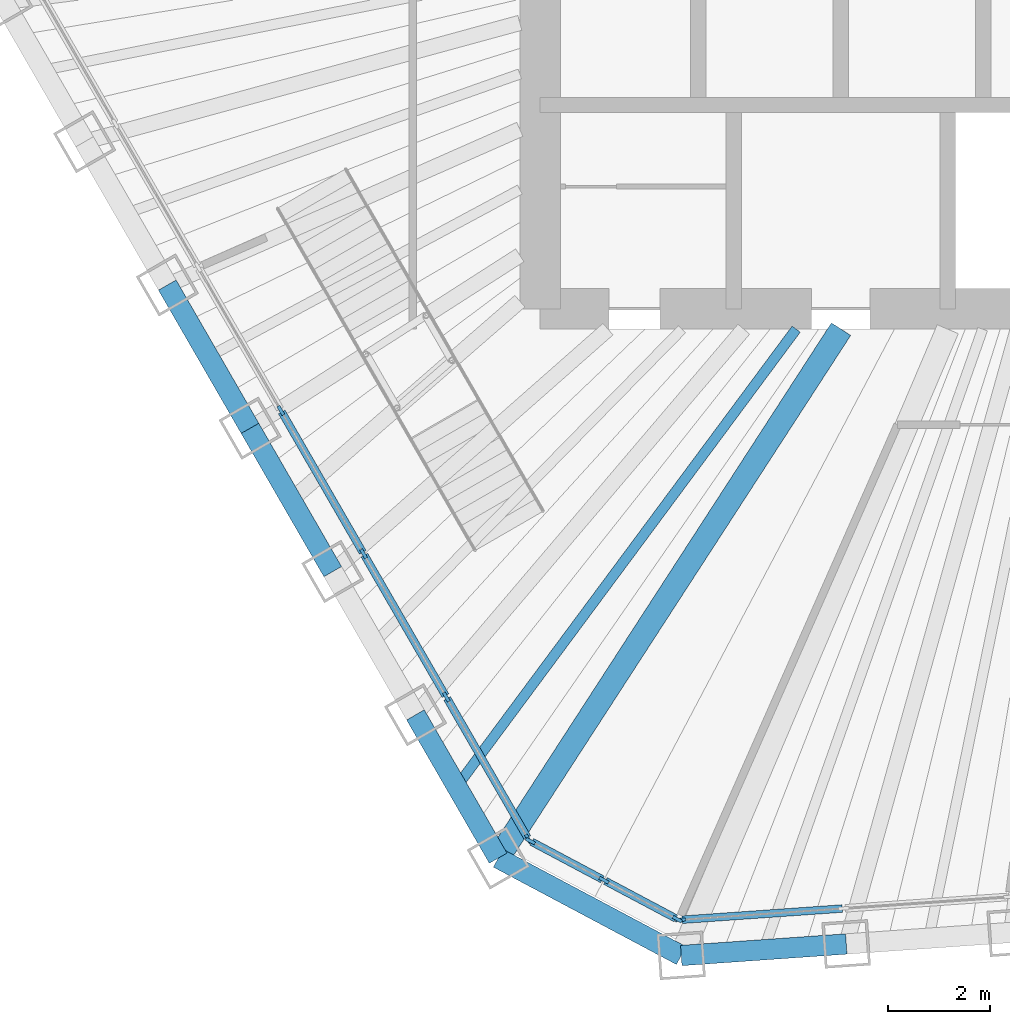
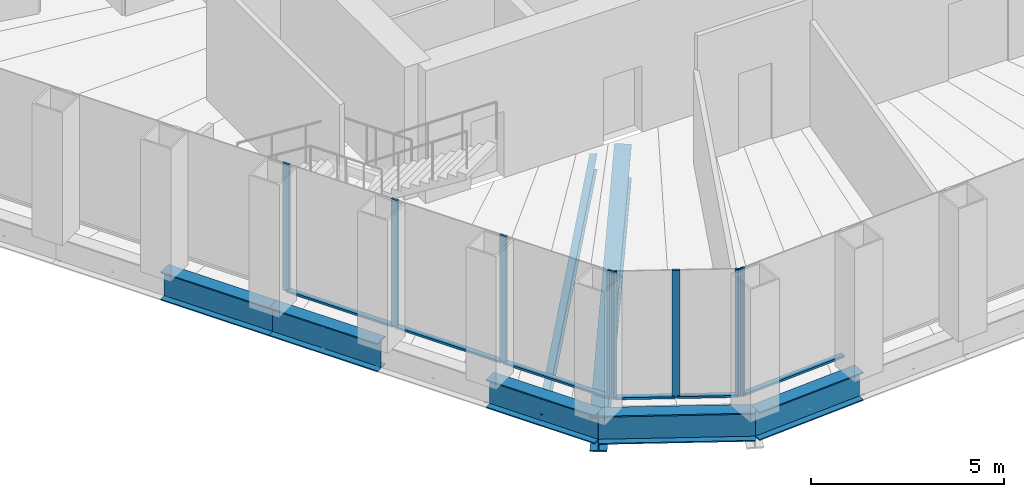
# One storey, part 2 of 17: 14 members, 7 beams, 3 elements without a shape of their own.
"""IFC4 building model written with IfcOpenShell, lengths in metres."""

from ifc_helpers import new_model, si_unit, direction, frame, origin, origin_2d, place, context, subcontext, project, spatial, rectangle, i_section, extrude, material, material_profile, profile_set, type_object, element, aggregate, save


model = new_model("IFC4")

# Units and contexts
model_context = context("Model", 3, precision=1e-05, world=origin(), true_north=direction((0.0, 1.0)))
body_context = subcontext(model_context, "Body", "Model", "MODEL_VIEW")
ifc_project = project(units=[si_unit("LENGTHUNIT", "METRE"), si_unit("AREAUNIT", "SQUARE_METRE"), si_unit("VOLUMEUNIT", "CUBIC_METRE"), si_unit("PLANEANGLEUNIT", "RADIAN"), si_unit("MASSUNIT", "GRAM", prefix="KILO")], contexts=[model_context])

# Site, building, storey
site_placement = place(None, origin())
site = spatial("IfcSite", under=ifc_project, at=site_placement, CompositionType="ELEMENT")
building_placement = place(site_placement, origin())
building = spatial("IfcBuilding", under=site, at=building_placement, Name="Qingtian Harvest Tower", CompositionType="ELEMENT")
storey_placement = place(building_placement, frame((0.0, 0.0, 329.199951171875)))
storey = spatial("IfcBuildingStorey", under=building, at=storey_placement, Name="L73", CompositionType="ELEMENT", Elevation=329.199951171875)

# Beams
ifc_material_1 = material(Name="Steel SM570MC", Category="steel")
ifc_material_profile_1 = material_profile(ifc_material_1, i_section(OverallWidth=0.449951171875, OverallDepth=1.10009765625, WebThickness=0.02197265625, FlangeThickness=0.044921875, at=origin_2d()), Name="H1100x450x22x45")
ifc_profile_set_1 = profile_set([ifc_material_profile_1], Name="Steel SM570MC")
beam_type_1 = type_object("IfcBeamType", Name="Corner floor beam FB8 H1100x450x22x45", PredefinedType="BEAM", material=ifc_profile_set_1)
beam_1_placement = place(storey_placement, frame((-12.825439453125, -19.78564453125, -0.719970703125), z_axis=(0.543934037964, 0.839127977334, 0.0), x_axis=(-0.839127977334, 0.543934037964, 0.0)))
element("IfcBeam", 1, at=beam_1_placement, inside=storey, type_object=beam_type_1, Name="Floor beam FB8 SW0", PredefinedType="BEAM", context=body_context, shape_type="SweptSolid", body=[
    extrude(i_section(OverallWidth=0.449951171875, OverallDepth=1.10009765625, WebThickness=0.02197265625, FlangeThickness=0.044921875, at=origin_2d()), origin(), (0.0, 0.0, 1.0), 12.376708984375),
])
ifc_material_2 = material(Name="Steel SN490B", Category="steel")
ifc_material_profile_2 = material_profile(ifc_material_2, i_section(OverallWidth=0.199951171875, OverallDepth=0.5, WebThickness=0.010009765625, FlangeThickness=0.01611328125, at=origin_2d()), Name="H500x200x10x16")
ifc_profile_set_2 = profile_set([ifc_material_profile_2], Name="Steel SN490B")
beam_type_2 = type_object("IfcBeamType", Name="Floor joist J3 H500x200x10x16", PredefinedType="JOIST", material=ifc_profile_set_2)
beam_2_placement = place(storey_placement, frame((-13.637451171875, -18.37939453125, -0.419921875), z_axis=(0.595869637911, 0.803081175608, 0.0), x_axis=(-0.803081175608, 0.595869637911, 0.0)))
element("IfcBeam", 2, at=beam_2_placement, inside=storey, type_object=beam_type_2, Name="Floor joist J3 SW0", PredefinedType="JOIST", context=body_context, shape_type="SweptSolid", body=[
    extrude(i_section(OverallWidth=0.199951171875, OverallDepth=0.5, WebThickness=0.010009765625, FlangeThickness=0.01611328125, at=origin_2d()), origin(), (0.0, 0.0, 1.0), 11.181396484375),
])

# Curtain wall, member
ifc_material_3 = material(Name="Bronze-anodised aluminium curtain wall", Category="aluminium")
curtain_wall_type = type_object("IfcCurtainWallType", Name="Curtain wall CW6 executive floors", PredefinedType="USERDEFINED", material=ifc_material_3)
curtain_wall_1_placement = place(storey_placement, origin())
curtain_wall_1 = element("IfcCurtainWall", 3, at=curtain_wall_1_placement, inside=storey, type_object=curtain_wall_type, Name="Curtain wall CW6 L73 S0-5", ObjectType="RECESSED CURTAIN WALL", PredefinedType="USERDEFINED")
ifc_material_4 = material(Name="Bronze-anodised aluminium mullion", Category="aluminium")
ifc_material_profile_3 = material_profile(ifc_material_4, rectangle(XDim=0.06494140625, YDim=0.199951171875, at=origin_2d()), Name="AL 65x200")
ifc_profile_set_3 = profile_set([ifc_material_profile_3], Name="Bronze-anodised aluminium mullion")
member_type_1 = type_object("IfcMemberType", Name="Mullion CWM 65x200", PredefinedType="MULLION", material=ifc_profile_set_3)
member_1_placement = place(storey_placement, frame((-9.24755859375, -20.996337890625, 0.0), z_axis=(0.0, 0.0, 1.0), x_axis=(0.069756473744, -0.99756405026, 0.0)))
member_1 = element("IfcMember", 4, at=member_1_placement, type_object=member_type_1, Name="CW6 mullion 7", PredefinedType="MULLION", context=body_context, shape_type="SweptSolid", body=[
    extrude(rectangle(XDim=0.06494140625, YDim=0.199951171875, at=origin_2d()), origin(), (0.0, 0.0, 1.0), 4.030029296875),
])

# Curtain wall, members
curtain_wall_2_placement = place(storey_placement, origin())
curtain_wall_2 = element("IfcCurtainWall", 5, at=curtain_wall_2_placement, inside=storey, type_object=curtain_wall_type, Name="Curtain wall CW6 L73 SC", ObjectType="RECESSED CURTAIN WALL", PredefinedType="USERDEFINED")
member_2_placement = place(storey_placement, frame((-9.308837890625, -20.983154296875, 0.0), z_axis=(0.0, 0.0, 1.0), x_axis=(-0.469471562786, -0.882947592859, 0.0)))
member_2 = element("IfcMember", 6, at=member_2_placement, type_object=member_type_1, Name="CW6 mullion 1", PredefinedType="MULLION", context=body_context, shape_type="SweptSolid", body=[
    extrude(rectangle(XDim=0.06494140625, YDim=0.199951171875, at=origin_2d()), origin(), (0.0, 0.0, 1.0), 4.030029296875),
])
member_3_placement = place(storey_placement, frame((-10.749755859375, -20.217041015625, 0.0), z_axis=(0.0, 0.0, 1.0), x_axis=(-0.469471562786, -0.882947592859, 0.0)))
member_3 = element("IfcMember", 7, at=member_3_placement, type_object=member_type_1, Name="CW6 mullion 2", PredefinedType="MULLION", context=body_context, shape_type="SweptSolid", body=[
    extrude(rectangle(XDim=0.06494140625, YDim=0.199951171875, at=origin_2d()), origin(), (0.0, 0.0, 1.0), 4.030029296875),
])
member_4_placement = place(storey_placement, frame((-12.1904296875, -19.450927734375, 0.0), z_axis=(0.0, 0.0, 1.0), x_axis=(-0.469471562786, -0.882947592859, 0.0)))
member_4 = element("IfcMember", 8, at=member_4_placement, type_object=member_type_1, Name="CW6 mullion 3", PredefinedType="MULLION", context=body_context, shape_type="SweptSolid", body=[
    extrude(rectangle(XDim=0.06494140625, YDim=0.199951171875, at=origin_2d()), origin(), (0.0, 0.0, 1.0), 4.030029296875),
])

curtain_wall_3_placement = place(storey_placement, origin())
curtain_wall_3 = element("IfcCurtainWall", 9, at=curtain_wall_3_placement, inside=storey, type_object=curtain_wall_type, Name="Curtain wall CW6 L73 SW0-5", ObjectType="RECESSED CURTAIN WALL", PredefinedType="USERDEFINED")
member_5_placement = place(storey_placement, frame((-12.2353515625, -19.40771484375, 0.0), z_axis=(0.0, 0.0, 1.0), x_axis=(-0.866025403784, -0.5, 0.0)))
member_5 = element("IfcMember", 10, at=member_5_placement, type_object=member_type_1, Name="CW6 mullion 1", PredefinedType="MULLION", context=body_context, shape_type="SweptSolid", body=[
    extrude(rectangle(XDim=0.06494140625, YDim=0.199951171875, at=origin_2d()), origin(), (0.0, 0.0, 1.0), 4.030029296875),
])
member_6_placement = place(storey_placement, frame((-13.84326171875, -16.622802734375, 0.0), z_axis=(0.0, 0.0, 1.0), x_axis=(-0.866025403784, -0.5, 0.0)))
member_6 = element("IfcMember", 11, at=member_6_placement, type_object=member_type_1, Name="CW6 mullion 2", PredefinedType="MULLION", context=body_context, shape_type="SweptSolid", body=[
    extrude(rectangle(XDim=0.06494140625, YDim=0.199951171875, at=origin_2d()), origin(), (0.0, 0.0, 1.0), 4.030029296875),
])
member_7_placement = place(storey_placement, frame((-15.46728515625, -13.81005859375, 0.0), z_axis=(0.0, 0.0, 1.0), x_axis=(-0.866025403784, -0.5, 0.0)))
member_7 = element("IfcMember", 12, at=member_7_placement, type_object=member_type_1, Name="CW6 mullion 3", PredefinedType="MULLION", context=body_context, shape_type="SweptSolid", body=[
    extrude(rectangle(XDim=0.06494140625, YDim=0.199951171875, at=origin_2d()), origin(), (0.0, 0.0, 1.0), 4.030029296875),
])
member_8_placement = place(storey_placement, frame((-17.09130859375, -10.9970703125, 0.0), z_axis=(0.0, 0.0, 1.0), x_axis=(-0.866025403784, -0.5, 0.0)))
member_8 = element("IfcMember", 13, at=member_8_placement, type_object=member_type_1, Name="CW6 mullion 4", PredefinedType="MULLION", context=body_context, shape_type="SweptSolid", body=[
    extrude(rectangle(XDim=0.06494140625, YDim=0.199951171875, at=origin_2d()), origin(), (0.0, 0.0, 1.0), 4.030029296875),
])

# Beams
ifc_material_5 = material(Name="Steel SN490B", Category="steel")
ifc_material_profile_4 = material_profile(ifc_material_5, i_section(OverallWidth=0.39990234375, OverallDepth=0.89990234375, WebThickness=0.01904296875, FlangeThickness=0.035888671875, at=origin_2d()), Name="H900x400x19x36")
ifc_profile_set_4 = profile_set([ifc_material_profile_4], Name="Steel SN490B")
beam_type_3 = type_object("IfcBeamType", Name="Spandrel beam SB4 H900x400x19x36", PredefinedType="SPANDREL", material=ifc_profile_set_4)
beam_3_placement = place(storey_placement, frame((-5.9912109375, -21.47021484375, -0.449951171875), z_axis=(-0.997564043571, -0.069756569394, 0.0), x_axis=(0.069756569394, -0.997564043571, 0.0)))
element("IfcBeam", 14, at=beam_3_placement, inside=storey, type_object=beam_type_3, Name="Spandrel SB4 S5", PredefinedType="SPANDREL", context=body_context, shape_type="SweptSolid", body=[
    extrude(i_section(OverallWidth=0.39990234375, OverallDepth=0.89990234375, WebThickness=0.01904296875, FlangeThickness=0.035888671875, at=origin_2d()), origin(), (0.0, 0.0, 1.0), 3.247802734375),
])
beam_4_placement = place(storey_placement, frame((-9.231201171875, -21.69677734375, -0.449951171875), z_axis=(-0.882943273379, 0.469479686456, 0.0), x_axis=(-0.469479686456, -0.882943273379, 0.0)))
element("IfcBeam", 15, at=beam_4_placement, inside=storey, type_object=beam_type_3, Name="Spandrel SB4 SC", PredefinedType="SPANDREL", context=body_context, shape_type="SweptSolid", body=[
    extrude(i_section(OverallWidth=0.39990234375, OverallDepth=0.89990234375, WebThickness=0.01904296875, FlangeThickness=0.035888671875, at=origin_2d()), origin(), (0.0, 0.0, 1.0), 4.07080078125),
])
for number, where, z_axis, x_axis, name in (
    (16, (-12.825439453125, -19.78564453125, -0.449951171875), (-0.500019593356, 0.866014091259, 0.0), (-0.866014091259, -0.500019593356, 0.0), "Spandrel SB4 SW0"),
    (17, (-16.073486328125, -14.159912109375, -0.449951171875), (-0.500019593356, 0.866014091259, 0.0), (-0.866014091259, -0.500019593356, 0.0), "Spandrel SB4 SW2"),
):
    element("IfcBeam", number, at=place(storey_placement, frame(where, z_axis=z_axis, x_axis=x_axis)), inside=storey, type_object=beam_type_3, Name=name, PredefinedType="SPANDREL", context=body_context, shape_type="SweptSolid", body=[
        extrude(i_section(OverallWidth=0.39990234375, OverallDepth=0.89990234375, WebThickness=0.01904296875, FlangeThickness=0.035888671875, at=origin_2d()), origin(), (0.0, 0.0, 1.0), 3.247802734375),
    ])
beam_5_placement = place(storey_placement, frame((-17.697509765625, -11.34716796875, -0.449951171875), z_axis=(-0.499987045439, 0.866032882975, 0.0), x_axis=(-0.866032882975, -0.499987045439, 0.0)))
element("IfcBeam", 18, at=beam_5_placement, inside=storey, type_object=beam_type_3, Name="Spandrel SB4 SW3", PredefinedType="SPANDREL", context=body_context, shape_type="SweptSolid", body=[
    extrude(i_section(OverallWidth=0.39990234375, OverallDepth=0.89990234375, WebThickness=0.01904296875, FlangeThickness=0.035888671875, at=origin_2d()), origin(), (0.0, 0.0, 1.0), 3.248046875),
])

# Member
ifc_material_6 = material(Name="Bronze-anodised aluminium transom", Category="aluminium")
ifc_material_profile_5 = material_profile(ifc_material_6, rectangle(XDim=0.14990234375, YDim=0.06494140625, at=origin_2d()), Name="AL 65x150")
ifc_profile_set_5 = profile_set([ifc_material_profile_5], Name="Bronze-anodised aluminium transom")
member_type_2 = type_object("IfcMemberType", Name="Transom CWT 65x150", PredefinedType="USERDEFINED", material=ifc_profile_set_5)
member_9_placement = place(storey_placement, frame((-6.072509765625, -20.774169921875, 0.032470703125), z_axis=(-0.997564955301, -0.069743529851, 0.0), x_axis=(0.069743529851, -0.997564955301, 0.0)))
member_9 = element("IfcMember", 19, at=member_9_placement, type_object=member_type_2, Name="CW6 transom 6.1", ObjectType="TRANSOM", PredefinedType="USERDEFINED", context=body_context, shape_type="SweptSolid", body=[
    extrude(rectangle(XDim=0.14990234375, YDim=0.06494140625, at=origin_2d()), origin(), (0.0, 0.0, 1.0), 3.150390625),
])

aggregate(curtain_wall_1, [member_1, member_9])

member_10_placement = place(storey_placement, frame((-9.33740234375, -20.968017578125, 0.032470703125), z_axis=(-0.882960338349, 0.46944759122, 0.0), x_axis=(-0.46944759122, -0.882960338349, 0.0)))
member_10 = element("IfcMember", 20, at=member_10_placement, type_object=member_type_2, Name="CW6 transom 1.1", ObjectType="TRANSOM", PredefinedType="USERDEFINED", context=body_context, shape_type="SweptSolid", body=[
    extrude(rectangle(XDim=0.14990234375, YDim=0.06494140625, at=origin_2d()), origin(), (0.0, 0.0, 1.0), 1.56689453125),
])

member_11_placement = place(storey_placement, frame((-10.7783203125, -20.201904296875, 0.032470703125), z_axis=(-0.882960338349, 0.46944759122, 0.0), x_axis=(-0.46944759122, -0.882960338349, 0.0)))
member_11 = element("IfcMember", 21, at=member_11_placement, type_object=member_type_2, Name="CW6 transom 2.1", ObjectType="TRANSOM", PredefinedType="USERDEFINED", context=body_context, shape_type="SweptSolid", body=[
    extrude(rectangle(XDim=0.14990234375, YDim=0.06494140625, at=origin_2d()), origin(), (0.0, 0.0, 1.0), 1.56689453125),
])

aggregate(curtain_wall_2, [member_2, member_3, member_4, member_10, member_11])

member_12_placement = place(storey_placement, frame((-12.251708984375, -19.37939453125, 0.032470703125), z_axis=(-0.50000643655, 0.866021687608, 0.0), x_axis=(-0.866021687608, -0.50000643655, 0.0)))
member_12 = element("IfcMember", 22, at=member_12_placement, type_object=member_type_2, Name="CW6 transom 1.1", ObjectType="TRANSOM", PredefinedType="USERDEFINED", context=body_context, shape_type="SweptSolid", body=[
    extrude(rectangle(XDim=0.14990234375, YDim=0.06494140625, at=origin_2d()), origin(), (0.0, 0.0, 1.0), 3.150390625),
])

member_13_placement = place(storey_placement, frame((-13.859375, -16.5947265625, 0.032470703125), z_axis=(-0.5000079448, 0.866020816803, 0.0), x_axis=(-0.866020816803, -0.5000079448, 0.0)))
member_13 = element("IfcMember", 23, at=member_13_placement, type_object=member_type_2, Name="CW6 transom 2.1", ObjectType="TRANSOM", PredefinedType="USERDEFINED", context=body_context, shape_type="SweptSolid", body=[
    extrude(rectangle(XDim=0.14990234375, YDim=0.06494140625, at=origin_2d()), origin(), (0.0, 0.0, 1.0), 3.18310546875),
])

member_14_placement = place(storey_placement, frame((-15.4833984375, -13.78173828125, 0.032470703125), z_axis=(-0.500041159108, 0.866001639258, 0.0), x_axis=(-0.866001639258, -0.500041159108, 0.0)))
member_14 = element("IfcMember", 24, at=member_14_placement, type_object=member_type_2, Name="CW6 transom 3.1", ObjectType="TRANSOM", PredefinedType="USERDEFINED", context=body_context, shape_type="SweptSolid", body=[
    extrude(rectangle(XDim=0.14990234375, YDim=0.06494140625, at=origin_2d()), origin(), (0.0, 0.0, 1.0), 3.182861328125),
])

aggregate(curtain_wall_3, [member_5, member_6, member_7, member_8, member_12, member_13, member_14])

save(model, "model.ifc")
